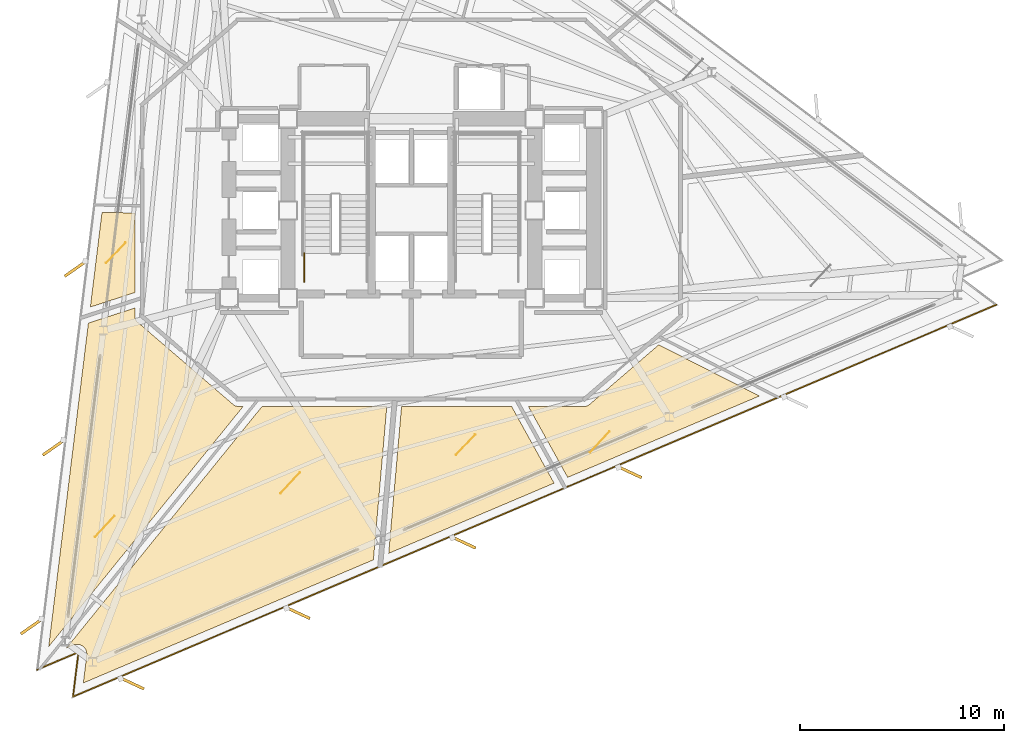
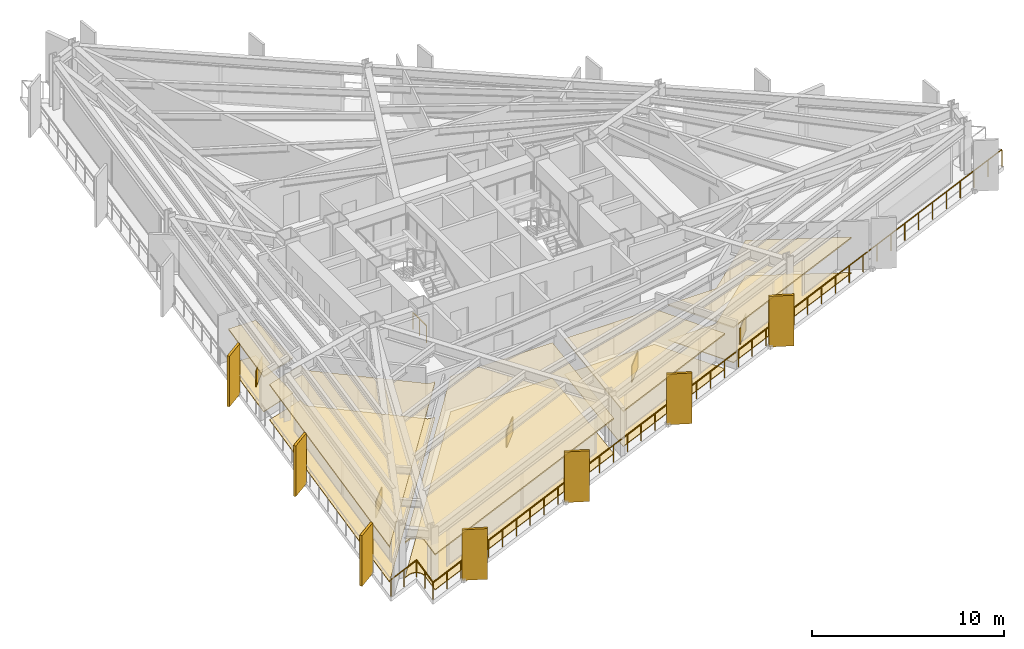
# One storey, part 9 of 13: 15 coverings, 7 shading devices, 2 railings.
"""IFC4 building model written with IfcOpenShell, lengths in metres."""

from ifc_helpers import new_model, si_unit, direction, frame, origin, origin_2d, place, context, subcontext, project, spatial, polyline, rectangle, outline, extrude, material, layer, layer_set, type_object, element, save


model = new_model("IFC4")

# Units and contexts
model_context = context("Model", 3, precision=1e-05, world=origin(), true_north=direction((0.0, 1.0)))
body_context = subcontext(model_context, "Body", "Model", "MODEL_VIEW")
ifc_project = project(units=[si_unit("LENGTHUNIT", "METRE"), si_unit("AREAUNIT", "SQUARE_METRE"), si_unit("VOLUMEUNIT", "CUBIC_METRE"), si_unit("PLANEANGLEUNIT", "RADIAN"), si_unit("MASSUNIT", "GRAM", prefix="KILO")], contexts=[model_context])

# Site, building, storey
site_placement = place(None, origin())
site = spatial("IfcSite", under=ifc_project, at=site_placement, CompositionType="ELEMENT")
building_placement = place(site_placement, origin())
building = spatial("IfcBuilding", under=site, at=building_placement, Name="Rocaltana Carrier Exchange", CompositionType="ELEMENT")
storey_placement = place(building_placement, frame((0.0, 0.0, 66.39990234375)))
storey = spatial("IfcBuildingStorey", under=building, at=storey_placement, Name="L20", CompositionType="ELEMENT", Elevation=66.39990234375)

# Coverings
ifc_material_1 = material(Name="Honed Bogota Sandstone Tile", Category="masonry")
ifc_layer_1 = layer(ifc_material_1, 0.0400390625)
ifc_layer_set_1 = layer_set([ifc_layer_1], Name="Honed Bogota Sandstone Tile")
covering_type_1 = type_object("IfcCoveringType", Name="Honed Stone Lobby Flooring 40", PredefinedType="FLOORING", material=ifc_layer_set_1)
covering_1_placement = place(storey_placement, origin())
element("IfcCovering", 1, at=covering_1_placement, inside=storey, type_object=covering_type_1, Name="L20 Client Reception Foyer Finish Floor", PredefinedType="FLOORING", context=body_context, shape_type="SweptSolid", body=[
    extrude(outline(polyline([(-15.17529296875, -0.09521484375), (-13.56005859375, -0.123291015625), (-13.56005859375, -4.02734375), (-15.745361328125, -4.737548828125), (-15.17529296875, -0.09521484375)])), origin(), (0.0, 0.0, 1.0), 0.0400390625),
])
covering_2_placement = place(storey_placement, origin())
element("IfcCovering", 2, at=covering_2_placement, inside=storey, type_object=covering_type_1, Name="L20 Staff Break Pantry Finish Floor", PredefinedType="FLOORING", context=body_context, shape_type="SweptSolid", body=[
    extrude(outline(polyline([(-17.791015625, -21.398193359375), (-15.84228515625, -5.52587890625), (-13.56005859375, -4.784423828125), (-13.56005859375, -5.199951171875), (-13.559814453125, -5.21337890625), (-13.559326171875, -5.220947265625), (-13.556884765625, -5.24755859375), (-13.5556640625, -5.255126953125), (-13.550537109375, -5.281494140625), (-13.548828125, -5.288818359375), (-13.541259765625, -5.314453125), (-13.538818359375, -5.32177734375), (-13.52880859375, -5.346435546875), (-13.525634765625, -5.353515625), (-13.51318359375, -5.377197265625), (-13.509521484375, -5.3837890625), (-13.4951171875, -5.40625), (-13.490478515625, -5.41259765625), (-13.47412109375, -5.433349609375), (-13.468994140625, -5.439208984375), (-13.450439453125, -5.45849609375), (-13.44482421875, -5.4638671875), (-13.43505859375, -5.47265625), (-8.735107421875, -9.522705078125), (-8.72412109375, -9.53173828125), (-8.717529296875, -9.53662109375), (-8.6943359375, -9.552978515625), (-8.6875, -9.557373046875), (-8.66259765625, -9.571044921875), (-8.6552734375, -9.57470703125), (-8.629150390625, -9.5859375), (-8.62158203125, -9.5888671875), (-8.594482421875, -9.597412109375), (-8.58642578125, -9.599365234375), (-8.55859375, -9.60498046875), (-8.550537109375, -9.606201171875), (-8.522216796875, -9.609130859375), (-8.51416015625, -9.609619140625), (-8.5, -9.610107421875), (-8.245361328125, -9.610107421875), (-17.791015625, -21.398193359375)])), origin(), (0.0, 0.0, 1.0), 0.0400390625),
])
covering_3_placement = place(storey_placement, origin())
element("IfcCovering", 3, at=covering_3_placement, inside=storey, type_object=covering_type_1, Name="L20 Client Reception Foyer Finish Floor", PredefinedType="FLOORING", context=body_context, shape_type="SweptSolid", body=[
    extrude(outline(polyline([(-15.923583984375, -21.822021484375), (-15.922119140625, -21.80810546875), (-15.9208984375, -21.788330078125), (-15.920166015625, -21.760498046875), (-15.920654296875, -21.740478515625), (-15.9228515625, -21.712646484375), (-15.92529296875, -21.69287109375), (-15.930419921875, -21.665283203125), (-15.934814453125, -21.64599609375), (-15.9423828125, -21.619140625), (-15.94873046875, -21.60009765625), (-15.958984375, -21.57421875), (-15.96728515625, -21.55615234375), (-15.97998046875, -21.53125), (-15.989990234375, -21.51416015625), (-16.00537109375, -21.49072265625), (-16.01708984375, -21.474609375), (-16.034423828125, -21.45263671875), (-16.047607421875, -21.437744140625), (-16.067138671875, -21.41796875), (-16.081787109375, -21.404296875), (-16.103271484375, -21.386474609375), (-16.119140625, -21.37451171875), (-16.142333984375, -21.35888671875), (-16.159423828125, -21.348388671875), (-16.183837890625, -21.335205078125), (-16.201904296875, -21.326416015625), (-16.227783203125, -21.31591796875), (-16.246337890625, -21.30908203125), (-16.273193359375, -21.30078125), (-16.29248046875, -21.2958984375), (-16.31982421875, -21.29052734375), (-16.339599609375, -21.28759765625), (-16.3671875, -21.284912109375), (-16.38720703125, -21.283935546875), (-16.415283203125, -21.283935546875), (-16.43505859375, -21.284912109375), (-16.462890625, -21.287841796875), (-16.482421875, -21.291015625), (-16.510009765625, -21.29638671875), (-16.529296875, -21.301513671875), (-16.555908203125, -21.309814453125), (-16.57470703125, -21.316650390625), (-16.587646484375, -21.32177734375), (-16.91552734375, -21.4609375), (-7.31884765625, -9.610107421875), (-1.2021484375, -9.610107421875), (-1.861083984375, -17.140380859375), (-16.09033203125, -23.180419921875), (-15.923583984375, -21.822021484375)])), origin(), (0.0, 0.0, 1.0), 0.0400390625),
])
covering_4_placement = place(storey_placement, origin())
element("IfcCovering", 4, at=covering_4_placement, inside=storey, type_object=covering_type_1, Name="L20 Cloud Architecture Office Finish Floor", PredefinedType="FLOORING", context=body_context, shape_type="SweptSolid", body=[
    extrude(outline(polyline([(-1.1103515625, -16.82177734375), (-0.4794921875, -9.610107421875), (4.915283203125, -9.610107421875), (7.003662109375, -13.377685546875), (-1.1103515625, -16.82177734375)])), origin(), (0.0, 0.0, 1.0), 0.0400390625),
])
covering_5_placement = place(storey_placement, origin())
element("IfcCovering", 5, at=covering_5_placement, inside=storey, type_object=covering_type_1, Name="L20 Peering Conference Room Finish Floor", PredefinedType="FLOORING", context=body_context, shape_type="SweptSolid", body=[
    extrude(outline(polyline([(7.670166015625, -13.0947265625), (5.738525390625, -9.610107421875), (8.5, -9.610107421875), (8.51416015625, -9.609619140625), (8.522216796875, -9.609130859375), (8.550537109375, -9.606201171875), (8.55859375, -9.60498046875), (8.58642578125, -9.599365234375), (8.594482421875, -9.597412109375), (8.62158203125, -9.5888671875), (8.629150390625, -9.5859375), (8.6552734375, -9.57470703125), (8.66259765625, -9.571044921875), (8.6875, -9.557373046875), (8.6943359375, -9.552978515625), (8.717529296875, -9.53662109375), (8.72412109375, -9.53173828125), (8.735107421875, -9.522705078125), (12.13916015625, -6.58935546875), (17.0732421875, -9.103271484375), (7.670166015625, -13.0947265625)])), origin(), (0.0, 0.0, 1.0), 0.0400390625),
])
ifc_material_2 = material(Name="Anodised Aluminium 6063-T6", Category="aluminium")
ifc_layer_2 = layer(ifc_material_2, 0.0849609375)
ifc_layer_set_2 = layer_set([ifc_layer_2], Name="Anodised Aluminium 6063-T6")
covering_type_2 = type_object("IfcCoveringType", Name="Linear Baffle Acoustic Ceiling 85", PredefinedType="CEILING", material=ifc_layer_set_2)
covering_6_placement = place(storey_placement, frame((0.0, 0.0, 2.203125)))
element("IfcCovering", 6, at=covering_6_placement, inside=storey, type_object=covering_type_2, Name="L20 Client Reception Foyer Acoustic Ceiling", PredefinedType="CEILING", context=body_context, shape_type="SweptSolid", body=[
    extrude(outline(polyline([(-15.17529296875, -0.09521484375), (-13.56005859375, -0.123291015625), (-13.56005859375, -4.02734375), (-15.745361328125, -4.737548828125), (-15.17529296875, -0.09521484375)])), origin(), (0.0, 0.0, 1.0), 0.0849609375),
])
covering_7_placement = place(storey_placement, frame((0.0, 0.0, 2.203125)))
element("IfcCovering", 7, at=covering_7_placement, inside=storey, type_object=covering_type_2, Name="L20 Staff Break Pantry Acoustic Ceiling", PredefinedType="CEILING", context=body_context, shape_type="SweptSolid", body=[
    extrude(outline(polyline([(-17.791015625, -21.398193359375), (-15.84228515625, -5.52587890625), (-13.56005859375, -4.784423828125), (-13.56005859375, -5.199951171875), (-13.559814453125, -5.21337890625), (-13.559326171875, -5.220947265625), (-13.556884765625, -5.24755859375), (-13.5556640625, -5.255126953125), (-13.550537109375, -5.281494140625), (-13.548828125, -5.288818359375), (-13.541259765625, -5.314453125), (-13.538818359375, -5.32177734375), (-13.52880859375, -5.346435546875), (-13.525634765625, -5.353515625), (-13.51318359375, -5.377197265625), (-13.509521484375, -5.3837890625), (-13.4951171875, -5.40625), (-13.490478515625, -5.41259765625), (-13.47412109375, -5.433349609375), (-13.468994140625, -5.439208984375), (-13.450439453125, -5.45849609375), (-13.44482421875, -5.4638671875), (-13.43505859375, -5.47265625), (-8.735107421875, -9.522705078125), (-8.72412109375, -9.53173828125), (-8.717529296875, -9.53662109375), (-8.6943359375, -9.552978515625), (-8.6875, -9.557373046875), (-8.66259765625, -9.571044921875), (-8.6552734375, -9.57470703125), (-8.629150390625, -9.5859375), (-8.62158203125, -9.5888671875), (-8.594482421875, -9.597412109375), (-8.58642578125, -9.599365234375), (-8.55859375, -9.60498046875), (-8.550537109375, -9.606201171875), (-8.522216796875, -9.609130859375), (-8.51416015625, -9.609619140625), (-8.5, -9.610107421875), (-8.245361328125, -9.610107421875), (-17.791015625, -21.398193359375)])), origin(), (0.0, 0.0, 1.0), 0.0849609375),
])
covering_8_placement = place(storey_placement, frame((0.0, 0.0, 2.203125)))
element("IfcCovering", 8, at=covering_8_placement, inside=storey, type_object=covering_type_2, Name="L20 Client Reception Foyer Acoustic Ceiling", PredefinedType="CEILING", context=body_context, shape_type="SweptSolid", body=[
    extrude(outline(polyline([(-15.923583984375, -21.822021484375), (-15.922119140625, -21.80810546875), (-15.9208984375, -21.788330078125), (-15.920166015625, -21.760498046875), (-15.920654296875, -21.740478515625), (-15.9228515625, -21.712646484375), (-15.92529296875, -21.69287109375), (-15.930419921875, -21.665283203125), (-15.934814453125, -21.64599609375), (-15.9423828125, -21.619140625), (-15.94873046875, -21.60009765625), (-15.958984375, -21.57421875), (-15.96728515625, -21.55615234375), (-15.97998046875, -21.53125), (-15.989990234375, -21.51416015625), (-16.00537109375, -21.49072265625), (-16.01708984375, -21.474609375), (-16.034423828125, -21.45263671875), (-16.047607421875, -21.437744140625), (-16.067138671875, -21.41796875), (-16.081787109375, -21.404296875), (-16.103271484375, -21.386474609375), (-16.119140625, -21.37451171875), (-16.142333984375, -21.35888671875), (-16.159423828125, -21.348388671875), (-16.183837890625, -21.335205078125), (-16.201904296875, -21.326416015625), (-16.227783203125, -21.31591796875), (-16.246337890625, -21.30908203125), (-16.273193359375, -21.30078125), (-16.29248046875, -21.2958984375), (-16.31982421875, -21.29052734375), (-16.339599609375, -21.28759765625), (-16.3671875, -21.284912109375), (-16.38720703125, -21.283935546875), (-16.415283203125, -21.283935546875), (-16.43505859375, -21.284912109375), (-16.462890625, -21.287841796875), (-16.482421875, -21.291015625), (-16.510009765625, -21.29638671875), (-16.529296875, -21.301513671875), (-16.555908203125, -21.309814453125), (-16.57470703125, -21.316650390625), (-16.587646484375, -21.32177734375), (-16.91552734375, -21.4609375), (-7.31884765625, -9.610107421875), (-1.2021484375, -9.610107421875), (-1.861083984375, -17.140380859375), (-16.09033203125, -23.180419921875), (-15.923583984375, -21.822021484375)])), origin(), (0.0, 0.0, 1.0), 0.0849609375),
])
covering_9_placement = place(storey_placement, frame((0.0, 0.0, 2.203125)))
element("IfcCovering", 9, at=covering_9_placement, inside=storey, type_object=covering_type_2, Name="L20 Cloud Architecture Office Acoustic Ceiling", PredefinedType="CEILING", context=body_context, shape_type="SweptSolid", body=[
    extrude(outline(polyline([(-1.1103515625, -16.82177734375), (-0.4794921875, -9.610107421875), (4.915283203125, -9.610107421875), (7.003662109375, -13.377685546875), (-1.1103515625, -16.82177734375)])), origin(), (0.0, 0.0, 1.0), 0.0849609375),
])
covering_10_placement = place(storey_placement, frame((0.0, 0.0, 2.203125)))
element("IfcCovering", 10, at=covering_10_placement, inside=storey, type_object=covering_type_2, Name="L20 Peering Conference Room Acoustic Ceiling", PredefinedType="CEILING", context=body_context, shape_type="SweptSolid", body=[
    extrude(outline(polyline([(7.670166015625, -13.0947265625), (5.738525390625, -9.610107421875), (8.5, -9.610107421875), (8.51416015625, -9.609619140625), (8.522216796875, -9.609130859375), (8.550537109375, -9.606201171875), (8.55859375, -9.60498046875), (8.58642578125, -9.599365234375), (8.594482421875, -9.597412109375), (8.62158203125, -9.5888671875), (8.629150390625, -9.5859375), (8.6552734375, -9.57470703125), (8.66259765625, -9.571044921875), (8.6875, -9.557373046875), (8.6943359375, -9.552978515625), (8.717529296875, -9.53662109375), (8.72412109375, -9.53173828125), (8.735107421875, -9.522705078125), (12.13916015625, -6.58935546875), (17.0732421875, -9.103271484375), (7.670166015625, -13.0947265625)])), origin(), (0.0, 0.0, 1.0), 0.0849609375),
])

# Railing
ifc_material_3 = material(Name="Powder-Coated Aluminium 6063-T6", Category="aluminium")
ifc_layer_3 = layer(ifc_material_3, 0.048095703125)
ifc_layer_set_3 = layer_set([ifc_layer_3], Name="Powder-Coated Aluminium 6063-T6")
railing_type_1 = type_object("IfcRailingType", Name="Stair Well Guardrail 1100", PredefinedType="GUARDRAIL", material=ifc_layer_set_3)
railing_1_placement = place(storey_placement, frame((-5.25, -3.5, 0.0)))
element("IfcRailing", 11, at=railing_1_placement, inside=storey, type_object=railing_type_1, Name="L20 ST-1 stair guard 9", PredefinedType="GUARDRAIL", context=body_context, shape_type="SweptSolid", body=[
    extrude(rectangle(XDim=0.048095703125, YDim=0.048095703125, at=origin_2d()), frame((0.0, 0.0, 1.076171875), z_axis=(0.0, 1.0, 0.0), x_axis=(-1.0, 0.0, 0.0)), (0.0, 0.0, 1.0), 1.39990234375),
    extrude(rectangle(XDim=0.0419921875, YDim=0.0419921875, at=origin_2d()), origin(), (0.0, 0.0, 1.0), 1.052001953125),
    extrude(rectangle(XDim=0.0419921875, YDim=0.0419921875, at=origin_2d()), frame((0.0, 0.699951171875, 0.0)), (0.0, 0.0, 1.0), 1.052001953125),
    extrude(rectangle(XDim=0.0419921875, YDim=0.0419921875, at=origin_2d()), frame((0.0, 1.39990234375, 0.0)), (0.0, 0.0, 1.0), 1.052001953125),
])

# Coverings
ifc_material_4 = material(Name="Honed Piedra Muneca Sandstone", Category="masonry")
ifc_layer_4 = layer(ifc_material_4, 0.034912109375)
ifc_layer_set_4 = layer_set([ifc_layer_4], Name="Honed Piedra Muneca Sandstone")
covering_type_3 = type_object("IfcCoveringType", Name="Stone Facade Cladding 35", PredefinedType="CLADDING", material=ifc_layer_set_4)
for number, where, z_axis, x_axis, name in (
    (12, (-14.4892578125, -2.075439453125, 0.0), (0.0, 0.0, 1.0), (0.681998360062, 0.731353701619, 0.0), "L20 Stone Facade Cladding Panel 1"),
    (13, (-15.042724609375, -15.504150390625, 0.0), (0.0, 0.0, 1.0), (0.681998360062, 0.731353701619, 0.0), "L20 Stone Facade Cladding Panel 2"),
    (14, (-5.94970703125, -13.375244140625, 0.0), (0.0, 0.0, 1.0), (0.681998360062, 0.731353701619, 0.0), "L20 Stone Facade Cladding Panel 3"),
    (15, (2.65771484375, -11.493896484375, 0.0), (0.0, 0.0, 1.0), (0.681998360062, 0.731353701619, 0.0), "L20 Stone Facade Cladding Panel 4"),
    (16, (9.239501953125, -11.352294921875, 0.0), (0.0, 0.0, 1.0), (0.681998360062, 0.731353701619, 0.0), "L20 Stone Facade Cladding Panel 5"),
):
    element("IfcCovering", number, at=place(storey_placement, frame(where, z_axis=z_axis, x_axis=x_axis)), inside=storey, type_object=covering_type_3, Name=name, PredefinedType="CLADDING", context=body_context, shape_type="SweptSolid", body=[
        extrude(rectangle(XDim=1.39990234375, YDim=0.034912109375, at=origin_2d()), origin(), (0.0, 0.0, 1.0), 1.050048828125),
    ])

# Shading devices
ifc_material_5 = material(Name="Honed Bogota Sandstone & Concrete C45/55", Category="masonry")
ifc_layer_5 = layer(ifc_material_5, 0.139892578125)
ifc_layer_set_5 = layer_set([ifc_layer_5], Name="Honed Bogota Sandstone & Concrete C45/55")
shading_device_type = type_object("IfcShadingDeviceType", Name="Vertical Sandstone Shading Fin 1320x140", PredefinedType="USERDEFINED", material=ifc_layer_set_5)
for number, where, z_axis, x_axis, name in (
    (17, (-16.46142578125, -2.85009765625, -0.1201171875), (0.0, 0.0, 1.0), (-0.819152044289, -0.573576436351, 0.0), "L20 Sandstone Vertical Fin F2-04"),
    (18, (-17.538818359375, -11.6240234375, -0.1201171875), (0.0, 0.0, 1.0), (-0.819152044289, -0.573576436351, 0.0), "L20 Sandstone Vertical Fin F2-05"),
    (19, (-18.6162109375, -20.398193359375, -0.1201171875), (0.0, 0.0, 1.0), (-0.819152044289, -0.573576436351, 0.0), "L20 Sandstone Vertical Fin F2-06"),
    (20, (-13.712890625, -23.193359375, -0.1201171875), (0.0, 0.0, 1.0), (0.906307787037, -0.422618261741, 0.0), "L20 Sandstone Vertical Fin F3-01"),
    (21, (-5.57568359375, -19.7392578125, -0.1201171875), (0.0, 0.0, 1.0), (0.906307787037, -0.422618261741, 0.0), "L20 Sandstone Vertical Fin F3-02"),
    (22, (2.5615234375, -16.28515625, -0.1201171875), (0.0, 0.0, 1.0), (0.906307787037, -0.422618261741, 0.0), "L20 Sandstone Vertical Fin F3-03"),
    (23, (10.698974609375, -12.8310546875, -0.1201171875), (0.0, 0.0, 1.0), (0.906307787037, -0.422618261741, 0.0), "L20 Sandstone Vertical Fin F3-04"),
):
    element("IfcShadingDevice", number, at=place(storey_placement, frame(where, z_axis=z_axis, x_axis=x_axis)), inside=storey, type_object=shading_device_type, Name=name, ObjectType="FIN", PredefinedType="USERDEFINED", context=body_context, shape_type="SweptSolid", body=[
        extrude(rectangle(XDim=1.320068359375, YDim=0.139892578125, at=origin_2d()), origin(), (0.0, 0.0, 1.0), 3.218017578125),
    ])

# Railing
ifc_material_6 = material(Name="Powder-Coated Aluminium 6063-T6", Category="aluminium")
ifc_layer_6 = layer(ifc_material_6, 0.06005859375)
ifc_layer_set_6 = layer_set([ifc_layer_6], Name="Powder-Coated Aluminium 6063-T6")
railing_type_2 = type_object("IfcRailingType", Name="Wind-Floor & Terrace Perimeter Guardrail 1100", PredefinedType="GUARDRAIL", material=ifc_layer_set_6)
railing_2_placement = place(storey_placement, frame((28.685791015625, -4.63037109375, 0.0)))
element("IfcRailing", 24, at=railing_2_placement, inside=storey, type_object=railing_type_2, Name="L20 Perimeter Balcony Guardrail 1", PredefinedType="GUARDRAIL", context=body_context, shape_type="SweptSolid", body=[
    extrude(rectangle(XDim=0.048095703125, YDim=0.048095703125, at=origin_2d()), frame((0.0, 0.0, 1.076171875), z_axis=(-0.920504928534, -0.390730951608, 0.0), x_axis=(0.390730951608, -0.920504928534, 0.0)), (0.0, 0.0, 1.0), 49.1923828125),
    extrude(rectangle(XDim=0.048095703125, YDim=0.048095703125, at=origin_2d()), frame((-45.28173828125, -19.220947265625, 1.076171875), z_axis=(0.121849105842, 0.992548636292, 0.0), x_axis=(-0.992548636292, 0.121849105842, 0.0)), (0.0, 0.0, 1.0), 2.199951171875),
    extrude(rectangle(XDim=0.048095703125, YDim=0.048095703125, at=origin_2d()), frame((-45.013671875, -17.037353515625, 1.076171875), z_axis=(-0.920488651352, -0.390769296046, 0.0), x_axis=(0.390769296046, -0.920488651352, 0.0)), (0.0, 0.0, 1.0), 2.19970703125),
    extrude(rectangle(XDim=0.0419921875, YDim=0.0419921875, at=origin_2d()), origin(), (0.0, 0.0, 1.0), 1.052001953125),
    extrude(rectangle(XDim=0.0419921875, YDim=0.0419921875, at=origin_2d()), frame((-1.1044921875, -0.46875, 0.0)), (0.0, 0.0, 1.0), 1.052001953125),
    extrude(rectangle(XDim=0.0419921875, YDim=0.0419921875, at=origin_2d()), frame((-2.208984375, -0.9375, 0.0)), (0.0, 0.0, 1.0), 1.052001953125),
    extrude(rectangle(XDim=0.0419921875, YDim=0.0419921875, at=origin_2d()), frame((-3.313232421875, -1.406494140625, 0.0)), (0.0, 0.0, 1.0), 1.052001953125),
    extrude(rectangle(XDim=0.0419921875, YDim=0.0419921875, at=origin_2d()), frame((-4.417724609375, -1.875244140625, 0.0)), (0.0, 0.0, 1.0), 1.052001953125),
    extrude(rectangle(XDim=0.0419921875, YDim=0.0419921875, at=origin_2d()), frame((-5.522216796875, -2.343994140625, 0.0)), (0.0, 0.0, 1.0), 1.052001953125),
    extrude(rectangle(XDim=0.0419921875, YDim=0.0419921875, at=origin_2d()), frame((-6.626708984375, -2.812744140625, 0.0)), (0.0, 0.0, 1.0), 1.052001953125),
    extrude(rectangle(XDim=0.0419921875, YDim=0.0419921875, at=origin_2d()), frame((-7.73095703125, -3.28173828125, 0.0)), (0.0, 0.0, 1.0), 1.052001953125),
    extrude(rectangle(XDim=0.0419921875, YDim=0.0419921875, at=origin_2d()), frame((-8.83544921875, -3.75048828125, 0.0)), (0.0, 0.0, 1.0), 1.052001953125),
    extrude(rectangle(XDim=0.0419921875, YDim=0.0419921875, at=origin_2d()), frame((-9.93994140625, -4.21923828125, 0.0)), (0.0, 0.0, 1.0), 1.052001953125),
    extrude(rectangle(XDim=0.0419921875, YDim=0.0419921875, at=origin_2d()), frame((-11.04443359375, -4.68798828125, 0.0)), (0.0, 0.0, 1.0), 1.052001953125),
    extrude(rectangle(XDim=0.0419921875, YDim=0.0419921875, at=origin_2d()), frame((-12.148681640625, -5.15673828125, 0.0)), (0.0, 0.0, 1.0), 1.052001953125),
    extrude(rectangle(XDim=0.0419921875, YDim=0.0419921875, at=origin_2d()), frame((-13.253173828125, -5.625732421875, 0.0)), (0.0, 0.0, 1.0), 1.052001953125),
    extrude(rectangle(XDim=0.0419921875, YDim=0.0419921875, at=origin_2d()), frame((-14.357666015625, -6.094482421875, 0.0)), (0.0, 0.0, 1.0), 1.052001953125),
    extrude(rectangle(XDim=0.0419921875, YDim=0.0419921875, at=origin_2d()), frame((-15.462158203125, -6.563232421875, 0.0)), (0.0, 0.0, 1.0), 1.052001953125),
    extrude(rectangle(XDim=0.0419921875, YDim=0.0419921875, at=origin_2d()), frame((-16.56640625, -7.031982421875, 0.0)), (0.0, 0.0, 1.0), 1.052001953125),
    extrude(rectangle(XDim=0.0419921875, YDim=0.0419921875, at=origin_2d()), frame((-17.6708984375, -7.5009765625, 0.0)), (0.0, 0.0, 1.0), 1.052001953125),
    extrude(rectangle(XDim=0.0419921875, YDim=0.0419921875, at=origin_2d()), frame((-18.775390625, -7.9697265625, 0.0)), (0.0, 0.0, 1.0), 1.052001953125),
    extrude(rectangle(XDim=0.0419921875, YDim=0.0419921875, at=origin_2d()), frame((-19.8798828125, -8.4384765625, 0.0)), (0.0, 0.0, 1.0), 1.052001953125),
    extrude(rectangle(XDim=0.0419921875, YDim=0.0419921875, at=origin_2d()), frame((-20.984130859375, -8.9072265625, 0.0)), (0.0, 0.0, 1.0), 1.052001953125),
    extrude(rectangle(XDim=0.0419921875, YDim=0.0419921875, at=origin_2d()), frame((-22.088623046875, -9.3759765625, 0.0)), (0.0, 0.0, 1.0), 1.052001953125),
    extrude(rectangle(XDim=0.0419921875, YDim=0.0419921875, at=origin_2d()), frame((-23.193115234375, -9.844970703125, 0.0)), (0.0, 0.0, 1.0), 1.052001953125),
    extrude(rectangle(XDim=0.0419921875, YDim=0.0419921875, at=origin_2d()), frame((-24.297607421875, -10.313720703125, 0.0)), (0.0, 0.0, 1.0), 1.052001953125),
    extrude(rectangle(XDim=0.0419921875, YDim=0.0419921875, at=origin_2d()), frame((-25.40185546875, -10.782470703125, 0.0)), (0.0, 0.0, 1.0), 1.052001953125),
    extrude(rectangle(XDim=0.0419921875, YDim=0.0419921875, at=origin_2d()), frame((-26.50634765625, -11.251220703125, 0.0)), (0.0, 0.0, 1.0), 1.052001953125),
    extrude(rectangle(XDim=0.0419921875, YDim=0.0419921875, at=origin_2d()), frame((-27.61083984375, -11.719970703125, 0.0)), (0.0, 0.0, 1.0), 1.052001953125),
    extrude(rectangle(XDim=0.0419921875, YDim=0.0419921875, at=origin_2d()), frame((-28.71533203125, -12.18896484375, 0.0)), (0.0, 0.0, 1.0), 1.052001953125),
    extrude(rectangle(XDim=0.0419921875, YDim=0.0419921875, at=origin_2d()), frame((-29.819580078125, -12.65771484375, 0.0)), (0.0, 0.0, 1.0), 1.052001953125),
    extrude(rectangle(XDim=0.0419921875, YDim=0.0419921875, at=origin_2d()), frame((-30.924072265625, -13.12646484375, 0.0)), (0.0, 0.0, 1.0), 1.052001953125),
    extrude(rectangle(XDim=0.0419921875, YDim=0.0419921875, at=origin_2d()), frame((-32.028564453125, -13.59521484375, 0.0)), (0.0, 0.0, 1.0), 1.052001953125),
    extrude(rectangle(XDim=0.0419921875, YDim=0.0419921875, at=origin_2d()), frame((-33.133056640625, -14.064208984375, 0.0)), (0.0, 0.0, 1.0), 1.052001953125),
    extrude(rectangle(XDim=0.0419921875, YDim=0.0419921875, at=origin_2d()), frame((-34.2373046875, -14.532958984375, 0.0)), (0.0, 0.0, 1.0), 1.052001953125),
    extrude(rectangle(XDim=0.0419921875, YDim=0.0419921875, at=origin_2d()), frame((-35.341796875, -15.001708984375, 0.0)), (0.0, 0.0, 1.0), 1.052001953125),
    extrude(rectangle(XDim=0.0419921875, YDim=0.0419921875, at=origin_2d()), frame((-36.4462890625, -15.470458984375, 0.0)), (0.0, 0.0, 1.0), 1.052001953125),
    extrude(rectangle(XDim=0.0419921875, YDim=0.0419921875, at=origin_2d()), frame((-37.55078125, -15.939208984375, 0.0)), (0.0, 0.0, 1.0), 1.052001953125),
    extrude(rectangle(XDim=0.0419921875, YDim=0.0419921875, at=origin_2d()), frame((-38.655029296875, -16.408203125, 0.0)), (0.0, 0.0, 1.0), 1.052001953125),
    extrude(rectangle(XDim=0.0419921875, YDim=0.0419921875, at=origin_2d()), frame((-39.759521484375, -16.876953125, 0.0)), (0.0, 0.0, 1.0), 1.052001953125),
    extrude(rectangle(XDim=0.0419921875, YDim=0.0419921875, at=origin_2d()), frame((-40.864013671875, -17.345703125, 0.0)), (0.0, 0.0, 1.0), 1.052001953125),
    extrude(rectangle(XDim=0.0419921875, YDim=0.0419921875, at=origin_2d()), frame((-41.968505859375, -17.814453125, 0.0)), (0.0, 0.0, 1.0), 1.052001953125),
    extrude(rectangle(XDim=0.0419921875, YDim=0.0419921875, at=origin_2d()), frame((-43.07275390625, -18.283447265625, 0.0)), (0.0, 0.0, 1.0), 1.052001953125),
    extrude(rectangle(XDim=0.0419921875, YDim=0.0419921875, at=origin_2d()), frame((-44.17724609375, -18.752197265625, 0.0)), (0.0, 0.0, 1.0), 1.052001953125),
    extrude(rectangle(XDim=0.0419921875, YDim=0.0419921875, at=origin_2d()), frame((-45.28173828125, -19.220947265625, 0.0)), (0.0, 0.0, 1.0), 1.052001953125),
    extrude(rectangle(XDim=0.0419921875, YDim=0.0419921875, at=origin_2d()), frame((-45.147705078125, -18.129150390625, 0.0)), (0.0, 0.0, 1.0), 1.052001953125),
    extrude(rectangle(XDim=0.0419921875, YDim=0.0419921875, at=origin_2d()), frame((-45.013671875, -17.037353515625, 0.0)), (0.0, 0.0, 1.0), 1.052001953125),
    extrude(rectangle(XDim=0.0419921875, YDim=0.0419921875, at=origin_2d()), frame((-46.026123046875, -17.46728515625, 0.0)), (0.0, 0.0, 1.0), 1.052001953125),
    extrude(rectangle(XDim=0.0419921875, YDim=0.0419921875, at=origin_2d()), frame((-47.03857421875, -17.89697265625, 0.0)), (0.0, 0.0, 1.0), 1.052001953125),
])

save(model, "model.ifc")
